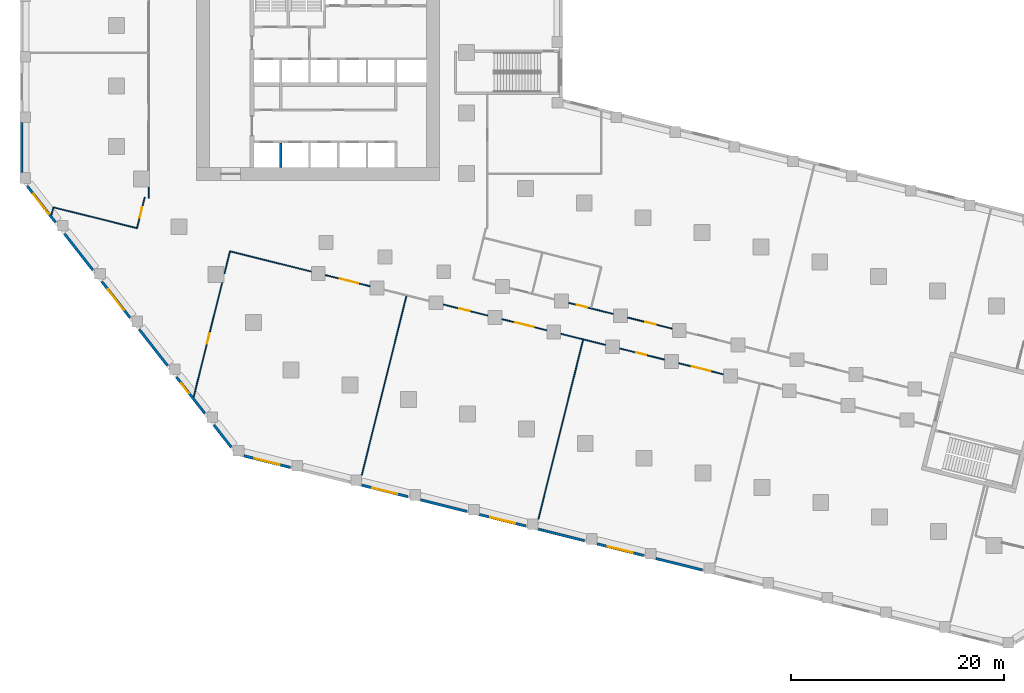
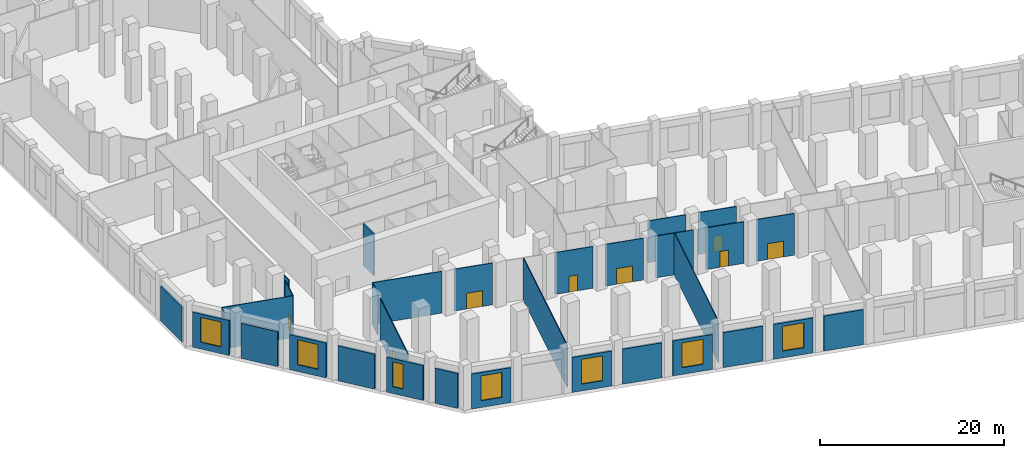
# One storey, part 3 of 15: 32 walls, 9 doors, 7 windows, 16 openings.
"""IFC4 building model written with IfcOpenShell, lengths in metres."""

from ifc_helpers import new_model, si_unit, direction, frame, frame_2d, origin, place, context, subcontext, project, spatial, rectangle, extrude, material, layer, layer_set, type_object, element, fill, save


model = new_model("IFC4")

# Units and contexts
model_context = context("Model", 3, precision=1e-05, world=origin(), true_north=direction((0.0, 1.0)))
body_context = subcontext(model_context, "Body", "Model", "MODEL_VIEW")
ifc_project = project(units=[si_unit("LENGTHUNIT", "METRE"), si_unit("AREAUNIT", "SQUARE_METRE"), si_unit("VOLUMEUNIT", "CUBIC_METRE"), si_unit("PLANEANGLEUNIT", "RADIAN"), si_unit("MASSUNIT", "GRAM", prefix="KILO")], contexts=[model_context])

# Site, building, storey
site_placement = place(None, origin())
site = spatial("IfcSite", under=ifc_project, at=site_placement, CompositionType="ELEMENT")
building_placement = place(site_placement, origin())
building = spatial("IfcBuilding", under=site, at=building_placement, Name="Meshkara Civic Tower", CompositionType="ELEMENT")
storey_placement = place(building_placement, frame((0.0, 0.0, 12.60009765625)))
storey = spatial("IfcBuildingStorey", under=building, at=storey_placement, Name="L02", CompositionType="ELEMENT", Elevation=12.60009765625)

# Walls
ifc_material_1 = material(Name="Corridor wall 100")
ifc_layer_1 = layer(ifc_material_1, 0.10009765625)
ifc_layer_set_1 = layer_set([ifc_layer_1], Name="Corridor wall 100")
wall_type_1 = type_object("IfcWallType", Name="Corridor wall 100", PredefinedType="PARTITIONING", material=ifc_layer_set_1)
wall_1_placement = place(storey_placement, frame((-5.464111328125, 11.56494140625, 0.0), z_axis=(0.0, 0.0, 1.0), x_axis=(-0.24207252228, -0.970258158408, 0.0)))
element("IfcWall", 1, at=wall_1_placement, inside=storey, type_object=wall_type_1, Name="L02-R001", PredefinedType="PARTITIONING", context=body_context, shape_type="SweptSolid", body=[
    extrude(rectangle(XDim=0.744384765625, YDim=0.10009765625, at=frame_2d((0.3720703125, 0.0))), origin(), (0.0, 0.0, 1.0), 5.5498046875),
])
wall_2_placement = place(storey_placement, frame((2.39501953125, 9.60595703125, 0.0), z_axis=(0.0, 0.0, 1.0), x_axis=(-0.97031070843, 0.241861797535, 0.0)))
element("IfcWall", 2, at=wall_2_placement, inside=storey, type_object=wall_type_1, Name="L02-R005", PredefinedType="PARTITIONING", context=body_context, shape_type="SweptSolid", body=[
    extrude(rectangle(XDim=8.099609375, YDim=0.10009765625, at=frame_2d((4.0498046875, 0.0))), origin(), (0.0, 0.0, 1.0), 5.5498046875),
])

# Wall, opening, door
wall_3_placement = place(storey_placement, frame((3.12109375, 12.51708984375, 0.0), z_axis=(0.0, 0.0, 1.0), x_axis=(-0.241999491975, -0.970276376031, 0.0)))
wall_3 = element("IfcWall", 3, at=wall_3_placement, inside=storey, type_object=wall_type_1, Name="L02-R006", PredefinedType="PARTITIONING", context=body_context, shape_type="SweptSolid", body=[
    extrude(rectangle(XDim=3.000244140625, YDim=0.10009765625, at=frame_2d((1.5, 0.0))), origin(), (0.0, 0.0, 1.0), 5.5498046875),
])
opening_1_placement = place(wall_3_placement, frame((0.97998046875, 0.0, 0.0)))
opening_1 = element("IfcOpeningElement", 4, at=opening_1_placement, cuts=wall_3, Name="Opening L02-P020", PredefinedType="OPENING", context=body_context, shape_type="SweptSolid", body=[
    extrude(rectangle(XDim=1.0, YDim=2.10009765625, at=frame_2d((0.5, 1.050048828125))), frame((0.0, 0.06005859375, 0.0), z_axis=(0.0, -1.0, 0.0), x_axis=(1.0, 0.0, 0.0)), (0.0, 0.0, 1.0), 0.1201171875),
])
ifc_material_2 = material(Name="Door 1000 x 2100")
door_type_1 = type_object("IfcDoorType", Name="Door 1000 x 2100", OperationType="SINGLE_SWING_LEFT", PredefinedType="DOOR", material=ifc_material_2)
door_1_placement = place(opening_1_placement, origin())
door_1 = element("IfcDoor", 5, at=door_1_placement, inside=storey, type_object=door_type_1, Name="L02-P020", OperationType="SINGLE_SWING_RIGHT", OverallHeight=2.10009765625, OverallWidth=1.0, PredefinedType="DOOR", context=body_context, shape_type="SweptSolid", body=[
    extrude(rectangle(XDim=1.0, YDim=2.10009765625, at=frame_2d((0.5, 1.050048828125))), frame((0.0, 0.02490234375, 0.0), z_axis=(0.0, -1.0, 0.0), x_axis=(1.0, 0.0, 0.0)), (0.0, 0.0, 1.0), 0.050048828125),
])
fill(opening_1, door_1)

# Wall
wall_4_placement = place(storey_placement, frame((3.5, 13.458984375, 0.0), z_axis=(0.0, 0.0, 1.0), x_axis=(0.0, -1.0, 0.0)))
element("IfcWall", 6, at=wall_4_placement, inside=storey, type_object=wall_type_1, Name="L02-R007", PredefinedType="PARTITIONING", context=body_context, shape_type="SweptSolid", body=[
    extrude(rectangle(XDim=1.035888671875, YDim=0.10009765625, at=frame_2d((0.51806640625, 0.0))), origin(), (0.0, 0.0, 1.0), 5.5498046875),
])

# Wall, opening, door
wall_5_placement = place(storey_placement, frame((7.715576171875, -6.25732421875, 0.0), z_axis=(0.0, 0.0, 1.0), x_axis=(0.241891576484, 0.970303285177, 0.0)))
wall_5 = element("IfcWall", 7, at=wall_5_placement, inside=storey, type_object=wall_type_1, Name="L02-R011", PredefinedType="PARTITIONING", context=body_context, shape_type="SweptSolid", body=[
    extrude(rectangle(XDim=11.060791015625, YDim=0.10009765625, at=frame_2d((5.5302734375, 0.0))), origin(), (0.0, 0.0, 1.0), 5.5498046875),
])
opening_2_placement = place(wall_5_placement, frame((5.144287109375, 0.0, 0.0)))
opening_2 = element("IfcOpeningElement", 8, at=opening_2_placement, cuts=wall_5, Name="Opening L02-P005", PredefinedType="OPENING", context=body_context, shape_type="SweptSolid", body=[
    extrude(rectangle(XDim=1.0, YDim=2.10009765625, at=frame_2d((0.5, 1.050048828125))), frame((0.0, 0.06005859375, 0.0), z_axis=(0.0, -1.0, 0.0), x_axis=(1.0, 0.0, 0.0)), (0.0, 0.0, 1.0), 0.1201171875),
])
door_2_placement = place(opening_2_placement, origin())
door_2 = element("IfcDoor", 9, at=door_2_placement, inside=storey, type_object=door_type_1, Name="L02-P005", OperationType="SINGLE_SWING_RIGHT", OverallHeight=2.10009765625, OverallWidth=1.0, PredefinedType="DOOR", context=body_context, shape_type="SweptSolid", body=[
    extrude(rectangle(XDim=1.0, YDim=2.10009765625, at=frame_2d((0.5, 1.050048828125))), frame((0.0, 0.02490234375, 0.0), z_axis=(0.0, -1.0, 0.0), x_axis=(1.0, 0.0, 0.0)), (0.0, 0.0, 1.0), 0.050048828125),
])
fill(opening_2, door_2)

# Walls
wall_6_placement = place(storey_placement, frame((10.60302734375, 5.322998046875, 0.0), z_axis=(0.0, 0.0, 1.0), x_axis=(0.241847407238, 0.970314295273, 0.0)))
element("IfcWall", 10, at=wall_6_placement, inside=storey, type_object=wall_type_1, Name="L02-R016", PredefinedType="PARTITIONING", context=body_context, shape_type="SweptSolid", body=[
    extrude(rectangle(XDim=2.17041015625, YDim=0.10009765625, at=frame_2d((1.085205078125, 0.0))), origin(), (0.0, 0.0, 1.0), 5.5498046875),
])
wall_7_placement = place(storey_placement, frame((11.1279296875, 7.428955078125, 0.0), z_axis=(0.0, 0.0, 1.0), x_axis=(0.970310377339, -0.241863125815, 0.0)))
element("IfcWall", 11, at=wall_7_placement, inside=storey, type_object=wall_type_1, Name="L02-R019", PredefinedType="PARTITIONING", context=body_context, shape_type="SweptSolid", body=[
    extrude(rectangle(XDim=7.859375, YDim=0.10009765625, at=frame_2d((3.9296875, 0.0))), origin(), (0.0, 0.0, 1.0), 5.5498046875),
])

# Wall, opening, door
wall_8_placement = place(storey_placement, frame((20.093994140625, 5.193115234375, 0.0), z_axis=(0.0, 0.0, 1.0), x_axis=(0.970321828551, -0.241817181023, 0.0)))
wall_8 = element("IfcWall", 12, at=wall_8_placement, inside=storey, type_object=wall_type_1, Name="L02-R025", PredefinedType="PARTITIONING", context=body_context, shape_type="SweptSolid", body=[
    extrude(rectangle(XDim=4.318115234375, YDim=0.10009765625, at=frame_2d((2.1591796875, 0.0))), origin(), (0.0, 0.0, 1.0), 5.5498046875),
])
opening_3_placement = place(wall_8_placement, frame((1.3798828125, 0.0, 0.0)))
opening_3 = element("IfcOpeningElement", 13, at=opening_3_placement, cuts=wall_8, Name="Opening L02-P014", PredefinedType="OPENING", context=body_context, shape_type="SweptSolid", body=[
    extrude(rectangle(XDim=1.800048828125, YDim=2.10009765625, at=frame_2d((0.89990234375, 1.050048828125))), frame((0.0, 0.06005859375, 0.0), z_axis=(0.0, -1.0, 0.0), x_axis=(1.0, 0.0, 0.0)), (0.0, 0.0, 1.0), 0.1201171875),
])
ifc_material_3 = material(Name="Door pair 1800 x 2100")
door_type_2 = type_object("IfcDoorType", Name="Door pair 1800 x 2100", OperationType="SINGLE_SWING_LEFT", PredefinedType="DOOR", material=ifc_material_3)
door_3_placement = place(opening_3_placement, origin())
door_3 = element("IfcDoor", 14, at=door_3_placement, inside=storey, type_object=door_type_2, Name="L02-P014", OperationType="DOUBLE_DOOR_SINGLE_SWING", OverallHeight=2.10009765625, OverallWidth=1.800048828125, PredefinedType="DOOR", context=body_context, shape_type="SweptSolid", body=[
    extrude(rectangle(XDim=1.800048828125, YDim=2.10009765625, at=frame_2d((0.89990234375, 1.050048828125))), frame((0.0, 0.02490234375, 0.0), z_axis=(0.0, -1.0, 0.0), x_axis=(1.0, 0.0, 0.0)), (0.0, 0.0, 1.0), 0.050048828125),
])
fill(opening_3, door_3)

wall_9_placement = place(storey_placement, frame((31.155029296875, 2.43603515625, 0.0), z_axis=(0.0, 0.0, 1.0), x_axis=(0.970295255208, -0.241923784941, 0.0)))
wall_9 = element("IfcWall", 15, at=wall_9_placement, inside=storey, type_object=wall_type_1, Name="L02-R039", PredefinedType="PARTITIONING", context=body_context, shape_type="SweptSolid", body=[
    extrude(rectangle(XDim=4.3193359375, YDim=0.10009765625, at=frame_2d((2.15966796875, 0.0))), origin(), (0.0, 0.0, 1.0), 5.5498046875),
])
opening_4_placement = place(wall_9_placement, frame((1.580078125, 0.0, 0.0)))
opening_4 = element("IfcOpeningElement", 16, at=opening_4_placement, cuts=wall_9, Name="Opening L02-P015", PredefinedType="OPENING", context=body_context, shape_type="SweptSolid", body=[
    extrude(rectangle(XDim=1.0, YDim=2.10009765625, at=frame_2d((0.5, 1.050048828125))), frame((0.0, 0.06005859375, 0.0), z_axis=(0.0, -1.0, 0.0), x_axis=(1.0, 0.0, 0.0)), (0.0, 0.0, 1.0), 0.1201171875),
])
door_4_placement = place(opening_4_placement, origin())
door_4 = element("IfcDoor", 17, at=door_4_placement, inside=storey, type_object=door_type_1, Name="L02-P015", OperationType="SINGLE_SWING_RIGHT", OverallHeight=2.10009765625, OverallWidth=1.0, PredefinedType="DOOR", context=body_context, shape_type="SweptSolid", body=[
    extrude(rectangle(XDim=1.0, YDim=2.10009765625, at=frame_2d((0.5, 1.050048828125))), frame((0.0, 0.02490234375, 0.0), z_axis=(0.0, -1.0, 0.0), x_axis=(1.0, 0.0, 0.0)), (0.0, 0.0, 1.0), 0.050048828125),
])
fill(opening_4, door_4)

wall_10_placement = place(storey_placement, frame((36.68603515625, 1.055908203125, 0.0), z_axis=(0.0, 0.0, 1.0), x_axis=(0.970335093604, -0.241763947107, 0.0)))
wall_10 = element("IfcWall", 18, at=wall_10_placement, inside=storey, type_object=wall_type_1, Name="L02-R049", PredefinedType="PARTITIONING", context=body_context, shape_type="SweptSolid", body=[
    extrude(rectangle(XDim=4.318115234375, YDim=0.10009765625, at=frame_2d((2.1591796875, 0.0))), origin(), (0.0, 0.0, 1.0), 5.5498046875),
])
opening_5_placement = place(wall_10_placement, frame((1.280029296875, 0.0, 0.0)))
opening_5 = element("IfcOpeningElement", 19, at=opening_5_placement, cuts=wall_10, Name="Opening L02-P017", PredefinedType="OPENING", context=body_context, shape_type="SweptSolid", body=[
    extrude(rectangle(XDim=1.800048828125, YDim=2.10009765625, at=frame_2d((0.89990234375, 1.050048828125))), frame((0.0, 0.06005859375, 0.0), z_axis=(0.0, -1.0, 0.0), x_axis=(1.0, 0.0, 0.0)), (0.0, 0.0, 1.0), 0.1201171875),
])
door_5_placement = place(opening_5_placement, origin())
door_5 = element("IfcDoor", 20, at=door_5_placement, inside=storey, type_object=door_type_2, Name="L02-P017", OperationType="DOUBLE_DOOR_SINGLE_SWING", OverallHeight=2.10009765625, OverallWidth=1.800048828125, PredefinedType="DOOR", context=body_context, shape_type="SweptSolid", body=[
    extrude(rectangle(XDim=1.800048828125, YDim=2.10009765625, at=frame_2d((0.89990234375, 1.050048828125))), frame((0.0, 0.02490234375, 0.0), z_axis=(0.0, -1.0, 0.0), x_axis=(1.0, 0.0, 0.0)), (0.0, 0.0, 1.0), 0.050048828125),
])
fill(opening_5, door_5)

# Wall
wall_11_placement = place(storey_placement, frame((42.216064453125, -0.322021484375, 0.0), z_axis=(0.0, 0.0, 1.0), x_axis=(0.970295255208, -0.241923784941, 0.0)))
element("IfcWall", 21, at=wall_11_placement, inside=storey, type_object=wall_type_1, Name="L02-R052", PredefinedType="PARTITIONING", context=body_context, shape_type="SweptSolid", body=[
    extrude(rectangle(XDim=4.3193359375, YDim=0.10009765625, at=frame_2d((2.15966796875, 0.0))), origin(), (0.0, 0.0, 1.0), 5.5498046875),
])

# Wall, opening, door
wall_12_placement = place(storey_placement, frame((42.94189453125, 2.589111328125, 0.0), z_axis=(0.0, 0.0, 1.0), x_axis=(0.970285294909, -0.241963729685, 0.0)))
wall_12 = element("IfcWall", 22, at=wall_12_placement, inside=storey, type_object=wall_type_1, Name="L02-R053", PredefinedType="PARTITIONING", context=body_context, shape_type="SweptSolid", body=[
    extrude(rectangle(XDim=4.319580078125, YDim=0.10009765625, at=frame_2d((2.15966796875, 0.0))), origin(), (0.0, 0.0, 1.0), 5.5498046875),
])
opening_6_placement = place(wall_12_placement, frame((0.780029296875, 0.0, 0.0)))
opening_6 = element("IfcOpeningElement", 23, at=opening_6_placement, cuts=wall_12, Name="Opening L02-P018", PredefinedType="OPENING", context=body_context, shape_type="SweptSolid", body=[
    extrude(rectangle(XDim=1.0, YDim=2.10009765625, at=frame_2d((0.5, 1.050048828125))), frame((0.0, 0.06005859375, 0.0), z_axis=(0.0, -1.0, 0.0), x_axis=(1.0, 0.0, 0.0)), (0.0, 0.0, 1.0), 0.1201171875),
])
door_6_placement = place(opening_6_placement, origin())
door_6 = element("IfcDoor", 24, at=door_6_placement, inside=storey, type_object=door_type_1, Name="L02-P018", OperationType="SINGLE_SWING_RIGHT", OverallHeight=2.10009765625, OverallWidth=1.0, PredefinedType="DOOR", context=body_context, shape_type="SweptSolid", body=[
    extrude(rectangle(XDim=1.0, YDim=2.10009765625, at=frame_2d((0.5, 1.050048828125))), frame((0.0, 0.02490234375, 0.0), z_axis=(0.0, -1.0, 0.0), x_axis=(1.0, 0.0, 0.0)), (0.0, 0.0, 1.0), 0.050048828125),
])
fill(opening_6, door_6)

wall_13_placement = place(storey_placement, frame((47.7470703125, -1.700927734375, 0.0), z_axis=(0.0, 0.0, 1.0), x_axis=(0.97028198557, -0.241976999897, 0.0)))
wall_13 = element("IfcWall", 25, at=wall_13_placement, inside=storey, type_object=wall_type_1, Name="L02-R054", PredefinedType="PARTITIONING", context=body_context, shape_type="SweptSolid", body=[
    extrude(rectangle(XDim=4.3193359375, YDim=0.10009765625, at=frame_2d((2.15966796875, 0.0))), origin(), (0.0, 0.0, 1.0), 5.5498046875),
])
opening_7_placement = place(wall_13_placement, frame((1.580078125, 0.0, 0.0)))
opening_7 = element("IfcOpeningElement", 26, at=opening_7_placement, cuts=wall_13, Name="Opening L02-P006", PredefinedType="OPENING", context=body_context, shape_type="SweptSolid", body=[
    extrude(rectangle(XDim=1.0, YDim=2.10009765625, at=frame_2d((0.5, 1.050048828125))), frame((0.0, 0.06005859375, 0.0), z_axis=(0.0, -1.0, 0.0), x_axis=(1.0, 0.0, 0.0)), (0.0, 0.0, 1.0), 0.1201171875),
])
door_7_placement = place(opening_7_placement, origin())
door_7 = element("IfcDoor", 27, at=door_7_placement, inside=storey, type_object=door_type_1, Name="L02-P006", OperationType="SINGLE_SWING_LEFT", OverallHeight=2.10009765625, OverallWidth=1.0, PredefinedType="DOOR", context=body_context, shape_type="SweptSolid", body=[
    extrude(rectangle(XDim=1.0, YDim=2.10009765625, at=frame_2d((0.5, 1.050048828125))), frame((0.0, 0.02490234375, 0.0), z_axis=(0.0, -1.0, 0.0), x_axis=(1.0, 0.0, 0.0)), (0.0, 0.0, 1.0), 0.050048828125),
])
fill(opening_7, door_7)

wall_14_placement = place(storey_placement, frame((52.6640625, 0.1650390625, 0.0), z_axis=(0.0, 0.0, 1.0), x_axis=(-0.970298563138, 0.241910517285, 0.0)))
wall_14 = element("IfcWall", 28, at=wall_14_placement, inside=storey, type_object=wall_type_1, Name="L02-R055", PredefinedType="PARTITIONING", context=body_context, shape_type="SweptSolid", body=[
    extrude(rectangle(XDim=4.3193359375, YDim=0.10009765625, at=frame_2d((2.15966796875, 0.0))), origin(), (0.0, 0.0, 1.0), 5.5498046875),
])
opening_8_placement = place(wall_14_placement, frame((1.580078125, 0.0, 0.0)))
opening_8 = element("IfcOpeningElement", 29, at=opening_8_placement, cuts=wall_14, Name="Opening L02-P019", PredefinedType="OPENING", context=body_context, shape_type="SweptSolid", body=[
    extrude(rectangle(XDim=1.0, YDim=2.10009765625, at=frame_2d((0.5, 1.050048828125))), frame((0.0, 0.06005859375, 0.0), z_axis=(0.0, -1.0, 0.0), x_axis=(1.0, 0.0, 0.0)), (0.0, 0.0, 1.0), 0.1201171875),
])
door_8_placement = place(opening_8_placement, origin())
door_8 = element("IfcDoor", 30, at=door_8_placement, inside=storey, type_object=door_type_1, Name="L02-P019", OperationType="SINGLE_SWING_RIGHT", OverallHeight=2.10009765625, OverallWidth=1.0, PredefinedType="DOOR", context=body_context, shape_type="SweptSolid", body=[
    extrude(rectangle(XDim=1.0, YDim=2.10009765625, at=frame_2d((0.5, 1.050048828125))), frame((0.0, 0.02490234375, 0.0), z_axis=(0.0, -1.0, 0.0), x_axis=(1.0, 0.0, 0.0)), (0.0, 0.0, 1.0), 0.050048828125),
])
fill(opening_8, door_8)

wall_15_placement = place(storey_placement, frame((53.278076171875, -3.0810546875, 0.0), z_axis=(0.0, 0.0, 1.0), x_axis=(0.970295255208, -0.241923784941, 0.0)))
wall_15 = element("IfcWall", 31, at=wall_15_placement, inside=storey, type_object=wall_type_1, Name="L02-R056", PredefinedType="PARTITIONING", context=body_context, shape_type="SweptSolid", body=[
    extrude(rectangle(XDim=4.3193359375, YDim=0.10009765625, at=frame_2d((2.15966796875, 0.0))), origin(), (0.0, 0.0, 1.0), 5.5498046875),
])
opening_9_placement = place(wall_15_placement, frame((1.280029296875, 0.0, 0.0)))
opening_9 = element("IfcOpeningElement", 32, at=opening_9_placement, cuts=wall_15, Name="Opening L02-P007", PredefinedType="OPENING", context=body_context, shape_type="SweptSolid", body=[
    extrude(rectangle(XDim=1.800048828125, YDim=2.10009765625, at=frame_2d((0.89990234375, 1.050048828125))), frame((0.0, 0.06005859375, 0.0), z_axis=(0.0, -1.0, 0.0), x_axis=(1.0, 0.0, 0.0)), (0.0, 0.0, 1.0), 0.1201171875),
])
door_9_placement = place(opening_9_placement, origin())
door_9 = element("IfcDoor", 33, at=door_9_placement, inside=storey, type_object=door_type_2, Name="L02-P007", OperationType="DOUBLE_DOOR_SINGLE_SWING", OverallHeight=2.10009765625, OverallWidth=1.800048828125, PredefinedType="DOOR", context=body_context, shape_type="SweptSolid", body=[
    extrude(rectangle(XDim=1.800048828125, YDim=2.10009765625, at=frame_2d((0.89990234375, 1.050048828125))), frame((0.0, 0.02490234375, 0.0), z_axis=(0.0, -1.0, 0.0), x_axis=(1.0, 0.0, 0.0)), (0.0, 0.0, 1.0), 0.050048828125),
])
fill(opening_9, door_9)

# Wall
ifc_material_4 = material(Name="Stone cladding on insulated backing wall", Category="masonry")
ifc_layer_2 = layer(ifc_material_4, 0.25)
ifc_layer_set_2 = layer_set([ifc_layer_2], Name="PODIUM STONE WALL 250")
wall_type_2 = type_object("IfcWallType", Name="PODIUM STONE WALL 250", PredefinedType="SOLIDWALL", material=ifc_layer_set_2)
wall_16_placement = place(storey_placement, frame((-8.425048828125, 19.510986328125, 0.0), z_axis=(0.0, 0.0, 1.0), x_axis=(0.0, -1.0, 0.0)))
element("IfcWall", 34, at=wall_16_placement, inside=storey, type_object=wall_type_2, Name="Podium external wall", PredefinedType="SOLIDWALL", context=body_context, shape_type="SweptSolid", body=[
    extrude(rectangle(XDim=4.699951171875, YDim=0.25, at=frame_2d((2.35009765625, 0.0))), origin(), (0.0, 0.0, 1.0), 4.64990234375),
])

# Wall, opening, window
wall_17_placement = place(storey_placement, frame((-7.924072265625, 13.55810546875, 0.0), z_axis=(0.0, 0.0, 1.0), x_axis=(0.615603242749, -0.788056246417, 0.0)))
wall_17 = element("IfcWall", 35, at=wall_17_placement, inside=storey, type_object=wall_type_2, Name="Podium external wall", PredefinedType="SOLIDWALL", context=body_context, shape_type="SweptSolid", body=[
    extrude(rectangle(XDim=4.296630859375, YDim=0.25, at=frame_2d((2.1484375, 0.0))), origin(), (0.0, 0.0, 1.0), 4.64990234375),
])
opening_10_placement = place(wall_17_placement, frame((0.947998046875, 0.0, 0.89990234375)))
opening_10 = element("IfcOpeningElement", 36, at=opening_10_placement, cuts=wall_17, Name="Opening PW7", PredefinedType="OPENING", context=body_context, shape_type="SweptSolid", body=[
    extrude(rectangle(XDim=2.39990234375, YDim=3.300048828125, at=frame_2d((1.199951171875, 1.64990234375))), frame((0.0, 0.135009765625, 0.0), z_axis=(0.0, -1.0, 0.0), x_axis=(1.0, 0.0, 0.0)), (0.0, 0.0, 1.0), 0.27001953125),
])
ifc_material_5 = material(Name="Tinted double glazing", Category="glass")
window_type_1 = type_object("IfcWindowType", Name="PODIUM WINDOW 2400x3300", PartitioningType="DOUBLE_PANEL_VERTICAL", PredefinedType="WINDOW", material=ifc_material_5)
window_1_placement = place(opening_10_placement, origin())
window_1 = element("IfcWindow", 37, at=window_1_placement, inside=storey, type_object=window_type_1, Name="Podium window", OverallHeight=3.300048828125, OverallWidth=2.39990234375, PartitioningType="DOUBLE_PANEL_VERTICAL", PredefinedType="WINDOW", context=body_context, shape_type="SweptSolid", body=[
    extrude(rectangle(XDim=2.39990234375, YDim=3.300048828125, at=frame_2d((1.199951171875, 1.64990234375))), frame((0.0, 0.030029296875, 0.0), z_axis=(0.0, -1.0, 0.0), x_axis=(1.0, 0.0, 0.0)), (0.0, 0.0, 1.0), 0.06005859375),
])
fill(opening_10, window_1)

# Wall
wall_18_placement = place(storey_placement, frame((-4.4150390625, 9.06591796875, 0.0), z_axis=(0.0, 0.0, 1.0), x_axis=(0.615713519567, -0.787970089421, 0.0)))
element("IfcWall", 38, at=wall_18_placement, inside=storey, type_object=wall_type_2, Name="Podium external wall", PredefinedType="SOLIDWALL", context=body_context, shape_type="SweptSolid", body=[
    extrude(rectangle(XDim=4.2958984375, YDim=0.25, at=frame_2d((2.14794921875, 0.0))), origin(), (0.0, 0.0, 1.0), 4.64990234375),
])

# Wall, opening, window
wall_19_placement = place(storey_placement, frame((-0.906005859375, 4.574951171875, 0.0), z_axis=(0.0, 0.0, 1.0), x_axis=(0.61574436495, -0.787945986113, 0.0)))
wall_19 = element("IfcWall", 39, at=wall_19_placement, inside=storey, type_object=wall_type_2, Name="Podium external wall", PredefinedType="SOLIDWALL", context=body_context, shape_type="SweptSolid", body=[
    extrude(rectangle(XDim=4.297119140625, YDim=0.25, at=frame_2d((2.1484375, 0.0))), origin(), (0.0, 0.0, 1.0), 4.64990234375),
])
opening_11_placement = place(wall_19_placement, frame((0.948974609375, 0.0, 0.89990234375)))
opening_11 = element("IfcOpeningElement", 40, at=opening_11_placement, cuts=wall_19, Name="Opening PW7", PredefinedType="OPENING", context=body_context, shape_type="SweptSolid", body=[
    extrude(rectangle(XDim=2.39990234375, YDim=3.300048828125, at=frame_2d((1.199951171875, 1.64990234375))), frame((0.0, 0.135009765625, 0.0), z_axis=(0.0, -1.0, 0.0), x_axis=(1.0, 0.0, 0.0)), (0.0, 0.0, 1.0), 0.27001953125),
])
window_2_placement = place(opening_11_placement, origin())
window_2 = element("IfcWindow", 41, at=window_2_placement, inside=storey, type_object=window_type_1, Name="Podium window", OverallHeight=3.300048828125, OverallWidth=2.39990234375, PartitioningType="DOUBLE_PANEL_VERTICAL", PredefinedType="WINDOW", context=body_context, shape_type="SweptSolid", body=[
    extrude(rectangle(XDim=2.39990234375, YDim=3.300048828125, at=frame_2d((1.199951171875, 1.64990234375))), frame((0.0, 0.030029296875, 0.0), z_axis=(0.0, -1.0, 0.0), x_axis=(1.0, 0.0, 0.0)), (0.0, 0.0, 1.0), 0.06005859375),
])
fill(opening_11, window_2)

# Wall
wall_20_placement = place(storey_placement, frame((2.60400390625, 0.0830078125, 0.0), z_axis=(0.0, 0.0, 1.0), x_axis=(0.615603242749, -0.788056246417, 0.0)))
element("IfcWall", 42, at=wall_20_placement, inside=storey, type_object=wall_type_2, Name="Podium external wall", PredefinedType="SOLIDWALL", context=body_context, shape_type="SweptSolid", body=[
    extrude(rectangle(XDim=4.296630859375, YDim=0.25, at=frame_2d((2.1484375, 0.0))), origin(), (0.0, 0.0, 1.0), 4.64990234375),
])

# Wall, opening, window
wall_21_placement = place(storey_placement, frame((6.113037109375, -4.408935546875, 0.0), z_axis=(0.0, 0.0, 1.0), x_axis=(0.615603242749, -0.788056246417, 0.0)))
wall_21 = element("IfcWall", 43, at=wall_21_placement, inside=storey, type_object=wall_type_2, Name="Podium external wall", PredefinedType="SOLIDWALL", context=body_context, shape_type="SweptSolid", body=[
    extrude(rectangle(XDim=4.296630859375, YDim=0.25, at=frame_2d((2.1484375, 0.0))), origin(), (0.0, 0.0, 1.0), 4.64990234375),
])
opening_12_placement = place(wall_21_placement, frame((0.701904296875, 0.0, 0.89990234375)))
opening_12 = element("IfcOpeningElement", 44, at=opening_12_placement, cuts=wall_21, Name="Opening PW9", PredefinedType="OPENING", context=body_context, shape_type="SweptSolid", body=[
    extrude(rectangle(XDim=1.199951171875, YDim=3.300048828125, at=frame_2d((0.60009765625, 1.64990234375))), frame((0.0, 0.135009765625, 0.0), z_axis=(0.0, -1.0, 0.0), x_axis=(1.0, 0.0, 0.0)), (0.0, 0.0, 1.0), 0.27001953125),
])
ifc_material_6 = material(Name="Tinted double glazing", Category="glass")
window_type_2 = type_object("IfcWindowType", Name="PODIUM WINDOW 1200x3300", PartitioningType="SINGLE_PANEL", PredefinedType="WINDOW", material=ifc_material_6)
window_3_placement = place(opening_12_placement, origin())
window_3 = element("IfcWindow", 45, at=window_3_placement, inside=storey, type_object=window_type_2, Name="Podium window", OverallHeight=3.300048828125, OverallWidth=1.199951171875, PartitioningType="SINGLE_PANEL", PredefinedType="WINDOW", context=body_context, shape_type="SweptSolid", body=[
    extrude(rectangle(XDim=1.199951171875, YDim=3.300048828125, at=frame_2d((0.60009765625, 1.64990234375))), frame((0.0, 0.030029296875, 0.0), z_axis=(0.0, -1.0, 0.0), x_axis=(1.0, 0.0, 0.0)), (0.0, 0.0, 1.0), 0.06005859375),
])
fill(opening_12, window_3)

# Wall
wall_22_placement = place(storey_placement, frame((9.6220703125, -8.90087890625, 0.0), z_axis=(0.0, 0.0, 1.0), x_axis=(0.615703609525, -0.787977832948, 0.0)))
element("IfcWall", 46, at=wall_22_placement, inside=storey, type_object=wall_type_2, Name="Podium external wall", PredefinedType="SOLIDWALL", context=body_context, shape_type="SweptSolid", body=[
    extrude(rectangle(XDim=2.62451171875, YDim=0.25, at=frame_2d((1.312255859375, 0.0))), origin(), (0.0, 0.0, 1.0), 4.64990234375),
])

# Wall, opening, window
wall_23_placement = place(storey_placement, frame((12.43603515625, -11.783935546875, 0.0), z_axis=(0.0, 0.0, 1.0), x_axis=(0.970263990019, -0.242049147224, 0.0)))
wall_23 = element("IfcWall", 47, at=wall_23_placement, inside=storey, type_object=wall_type_2, Name="Podium external wall", PredefinedType="SOLIDWALL", context=body_context, shape_type="SweptSolid", body=[
    extrude(rectangle(XDim=4.487548828125, YDim=0.25, at=frame_2d((2.24365234375, 0.0))), origin(), (0.0, 0.0, 1.0), 4.64990234375),
])
opening_13_placement = place(wall_23_placement, frame((1.0439453125, 0.0, 0.89990234375)))
opening_13 = element("IfcOpeningElement", 48, at=opening_13_placement, cuts=wall_23, Name="Opening PW7", PredefinedType="OPENING", context=body_context, shape_type="SweptSolid", body=[
    extrude(rectangle(XDim=2.39990234375, YDim=3.300048828125, at=frame_2d((1.199951171875, 1.64990234375))), frame((0.0, 0.135009765625, 0.0), z_axis=(0.0, -1.0, 0.0), x_axis=(1.0, 0.0, 0.0)), (0.0, 0.0, 1.0), 0.27001953125),
])
window_4_placement = place(opening_13_placement, origin())
window_4 = element("IfcWindow", 49, at=window_4_placement, inside=storey, type_object=window_type_1, Name="Podium window", OverallHeight=3.300048828125, OverallWidth=2.39990234375, PartitioningType="DOUBLE_PANEL_VERTICAL", PredefinedType="WINDOW", context=body_context, shape_type="SweptSolid", body=[
    extrude(rectangle(XDim=2.39990234375, YDim=3.300048828125, at=frame_2d((1.199951171875, 1.64990234375))), frame((0.0, 0.030029296875, 0.0), z_axis=(0.0, -1.0, 0.0), x_axis=(1.0, 0.0, 0.0)), (0.0, 0.0, 1.0), 0.06005859375),
])
fill(opening_13, window_4)

wall_24_placement = place(storey_placement, frame((23.4970703125, -14.5419921875, 0.0), z_axis=(0.0, 0.0, 1.0), x_axis=(0.970327846266, -0.241793032904, 0.0)))
wall_24 = element("IfcWall", 50, at=wall_24_placement, inside=storey, type_object=wall_type_2, Name="Podium external wall", PredefinedType="SOLIDWALL", context=body_context, shape_type="SweptSolid", body=[
    extrude(rectangle(XDim=4.487060546875, YDim=0.25, at=frame_2d((2.24365234375, 0.0))), origin(), (0.0, 0.0, 1.0), 4.64990234375),
])
opening_14_placement = place(wall_24_placement, frame((1.0439453125, 0.0, 0.89990234375)))
opening_14 = element("IfcOpeningElement", 51, at=opening_14_placement, cuts=wall_24, Name="Opening PW7", PredefinedType="OPENING", context=body_context, shape_type="SweptSolid", body=[
    extrude(rectangle(XDim=2.39990234375, YDim=3.300048828125, at=frame_2d((1.199951171875, 1.64990234375))), frame((0.0, 0.135009765625, 0.0), z_axis=(0.0, -1.0, 0.0), x_axis=(1.0, 0.0, 0.0)), (0.0, 0.0, 1.0), 0.27001953125),
])
window_5_placement = place(opening_14_placement, origin())
window_5 = element("IfcWindow", 52, at=window_5_placement, inside=storey, type_object=window_type_1, Name="Podium window", OverallHeight=3.300048828125, OverallWidth=2.39990234375, PartitioningType="DOUBLE_PANEL_VERTICAL", PredefinedType="WINDOW", context=body_context, shape_type="SweptSolid", body=[
    extrude(rectangle(XDim=2.39990234375, YDim=3.300048828125, at=frame_2d((1.199951171875, 1.64990234375))), frame((0.0, 0.030029296875, 0.0), z_axis=(0.0, -1.0, 0.0), x_axis=(1.0, 0.0, 0.0)), (0.0, 0.0, 1.0), 0.06005859375),
])
fill(opening_14, window_5)

# Wall
wall_25_placement = place(storey_placement, frame((29.028076171875, -15.9208984375, 0.0), z_axis=(0.0, 0.0, 1.0), x_axis=(0.970315079753, -0.241844259813, 0.0)))
element("IfcWall", 53, at=wall_25_placement, inside=storey, type_object=wall_type_2, Name="Podium external wall", PredefinedType="SOLIDWALL", context=body_context, shape_type="SweptSolid", body=[
    extrude(rectangle(XDim=4.4873046875, YDim=0.25, at=frame_2d((2.24365234375, 0.0))), origin(), (0.0, 0.0, 1.0), 4.64990234375),
])

# Wall, opening, window
wall_26_placement = place(storey_placement, frame((34.55908203125, -17.300048828125, 0.0), z_axis=(0.0, 0.0, 1.0), x_axis=(0.970327846266, -0.241793032904, 0.0)))
wall_26 = element("IfcWall", 54, at=wall_26_placement, inside=storey, type_object=wall_type_2, Name="Podium external wall", PredefinedType="SOLIDWALL", context=body_context, shape_type="SweptSolid", body=[
    extrude(rectangle(XDim=4.487060546875, YDim=0.25, at=frame_2d((2.24365234375, 0.0))), origin(), (0.0, 0.0, 1.0), 4.64990234375),
])
opening_15_placement = place(wall_26_placement, frame((1.0439453125, 0.0, 0.89990234375)))
opening_15 = element("IfcOpeningElement", 55, at=opening_15_placement, cuts=wall_26, Name="Opening PW7", PredefinedType="OPENING", context=body_context, shape_type="SweptSolid", body=[
    extrude(rectangle(XDim=2.39990234375, YDim=3.300048828125, at=frame_2d((1.199951171875, 1.64990234375))), frame((0.0, 0.135009765625, 0.0), z_axis=(0.0, -1.0, 0.0), x_axis=(1.0, 0.0, 0.0)), (0.0, 0.0, 1.0), 0.27001953125),
])
window_6_placement = place(opening_15_placement, origin())
window_6 = element("IfcWindow", 56, at=window_6_placement, inside=storey, type_object=window_type_1, Name="Podium window", OverallHeight=3.300048828125, OverallWidth=2.39990234375, PartitioningType="DOUBLE_PANEL_VERTICAL", PredefinedType="WINDOW", context=body_context, shape_type="SweptSolid", body=[
    extrude(rectangle(XDim=2.39990234375, YDim=3.300048828125, at=frame_2d((1.199951171875, 1.64990234375))), frame((0.0, 0.030029296875, 0.0), z_axis=(0.0, -1.0, 0.0), x_axis=(1.0, 0.0, 0.0)), (0.0, 0.0, 1.0), 0.06005859375),
])
fill(opening_15, window_6)

# Wall
wall_27_placement = place(storey_placement, frame((40.089111328125, -18.677978515625, 0.0), z_axis=(0.0, 0.0, 1.0), x_axis=(0.970276766004, -0.241997928406, 0.0)))
element("IfcWall", 57, at=wall_27_placement, inside=storey, type_object=wall_type_2, Name="Podium external wall", PredefinedType="SOLIDWALL", context=body_context, shape_type="SweptSolid", body=[
    extrude(rectangle(XDim=4.4873046875, YDim=0.25, at=frame_2d((2.24365234375, 0.0))), origin(), (0.0, 0.0, 1.0), 4.64990234375),
])

# Wall, opening, window
wall_28_placement = place(storey_placement, frame((45.618896484375, -20.056884765625, 0.0), z_axis=(0.0, 0.0, 1.0), x_axis=(0.970279921141, -0.241985277715, 0.0)))
wall_28 = element("IfcWall", 58, at=wall_28_placement, inside=storey, type_object=wall_type_2, Name="Podium external wall", PredefinedType="SOLIDWALL", context=body_context, shape_type="SweptSolid", body=[
    extrude(rectangle(XDim=4.488525390625, YDim=0.25, at=frame_2d((2.244140625, 0.0))), origin(), (0.0, 0.0, 1.0), 4.64990234375),
])
opening_16_placement = place(wall_28_placement, frame((1.0439453125, 0.0, 0.89990234375)))
opening_16 = element("IfcOpeningElement", 59, at=opening_16_placement, cuts=wall_28, Name="Opening PW7", PredefinedType="OPENING", context=body_context, shape_type="SweptSolid", body=[
    extrude(rectangle(XDim=2.39990234375, YDim=3.300048828125, at=frame_2d((1.199951171875, 1.64990234375))), frame((0.0, 0.135009765625, 0.0), z_axis=(0.0, -1.0, 0.0), x_axis=(1.0, 0.0, 0.0)), (0.0, 0.0, 1.0), 0.27001953125),
])
window_7_placement = place(opening_16_placement, origin())
window_7 = element("IfcWindow", 60, at=window_7_placement, inside=storey, type_object=window_type_1, Name="Podium window", OverallHeight=3.300048828125, OverallWidth=2.39990234375, PartitioningType="DOUBLE_PANEL_VERTICAL", PredefinedType="WINDOW", context=body_context, shape_type="SweptSolid", body=[
    extrude(rectangle(XDim=2.39990234375, YDim=3.300048828125, at=frame_2d((1.199951171875, 1.64990234375))), frame((0.0, 0.030029296875, 0.0), z_axis=(0.0, -1.0, 0.0), x_axis=(1.0, 0.0, 0.0)), (0.0, 0.0, 1.0), 0.06005859375),
])
fill(opening_16, window_7)

# Walls
wall_29_placement = place(storey_placement, frame((51.14990234375, -21.43603515625, 0.0), z_axis=(0.0, 0.0, 1.0), x_axis=(0.970289506684, -0.241946839653, 0.0)))
element("IfcWall", 61, at=wall_29_placement, inside=storey, type_object=wall_type_2, Name="Podium external wall", PredefinedType="SOLIDWALL", context=body_context, shape_type="SweptSolid", body=[
    extrude(rectangle(XDim=4.48828125, YDim=0.25, at=frame_2d((2.244140625, 0.0))), origin(), (0.0, 0.0, 1.0), 4.64990234375),
])
ifc_material_7 = material(Name="Partition 100")
ifc_layer_3 = layer(ifc_material_7, 0.10009765625)
ifc_layer_set_3 = layer_set([ifc_layer_3], Name="Partition 100")
wall_type_3 = type_object("IfcWallType", Name="Partition 100", PredefinedType="PARTITIONING", material=ifc_layer_set_3)
wall_30_placement = place(storey_placement, frame((23.507080078125, -13.60107421875, 0.0), z_axis=(0.0, 0.0, 1.0), x_axis=(0.24198959429, 0.970278844588, 0.0)))
element("IfcWall", 62, at=wall_30_placement, inside=storey, type_object=wall_type_3, Name="L02-R093", PredefinedType="PARTITIONING", context=body_context, shape_type="SweptSolid", body=[
    extrude(rectangle(XDim=17.35986328125, YDim=0.10009765625, at=frame_2d((8.679931640625, 0.0))), origin(), (0.0, 0.0, 1.0), 5.5498046875),
])
wall_31_placement = place(storey_placement, frame((40.10009765625, -17.738037109375, 0.0), z_axis=(0.0, 0.0, 1.0), x_axis=(0.241936633614, 0.970292051557, 0.0)))
element("IfcWall", 63, at=wall_31_placement, inside=storey, type_object=wall_type_3, Name="L02-R107", PredefinedType="PARTITIONING", context=body_context, shape_type="SweptSolid", body=[
    extrude(rectangle(XDim=17.359619140625, YDim=0.10009765625, at=frame_2d((8.6796875, 0.0))), origin(), (0.0, 0.0, 1.0), 5.5498046875),
])
ifc_material_8 = material(Name="Concrete C40/50", Category="concrete")
ifc_layer_4 = layer(ifc_material_8, 0.199951171875)
ifc_layer_set_4 = layer_set([ifc_layer_4], Name="Shaft wall 200 C40/50")
wall_type_4 = type_object("IfcWallType", Name="Shaft wall 200 C40/50", PredefinedType="SOLIDWALL", material=ifc_layer_set_4)
wall_32_placement = place(storey_placement, frame((15.89990234375, 15.300048828125, 0.0), z_axis=(0.0, 0.0, 1.0), x_axis=(0.0, 1.0, 0.0)))
element("IfcWall", 64, at=wall_32_placement, inside=storey, type_object=wall_type_4, Name="L02-C012", PredefinedType="SOLIDWALL", context=body_context, shape_type="SweptSolid", body=[
    extrude(rectangle(XDim=2.300048828125, YDim=0.199951171875, at=frame_2d((1.14990234375, 0.0))), origin(), (0.0, 0.0, 1.0), 5.5498046875),
])

save(model, "model.ifc")
